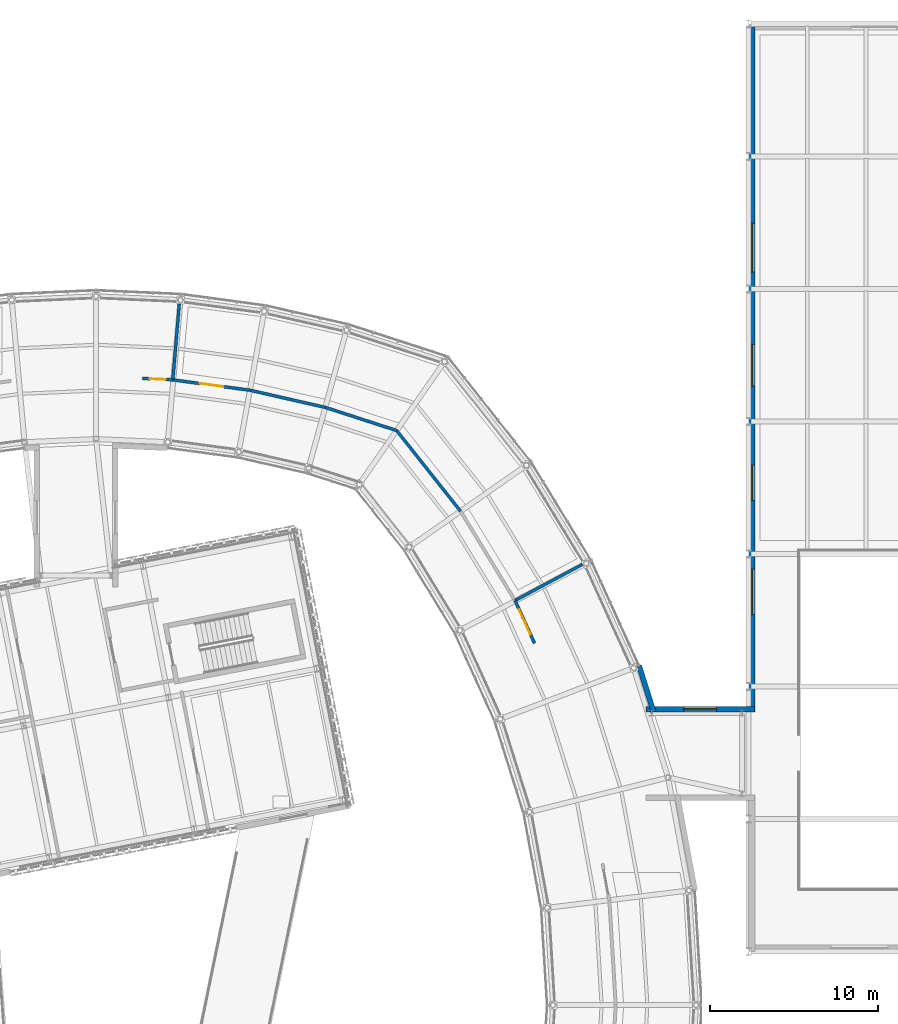
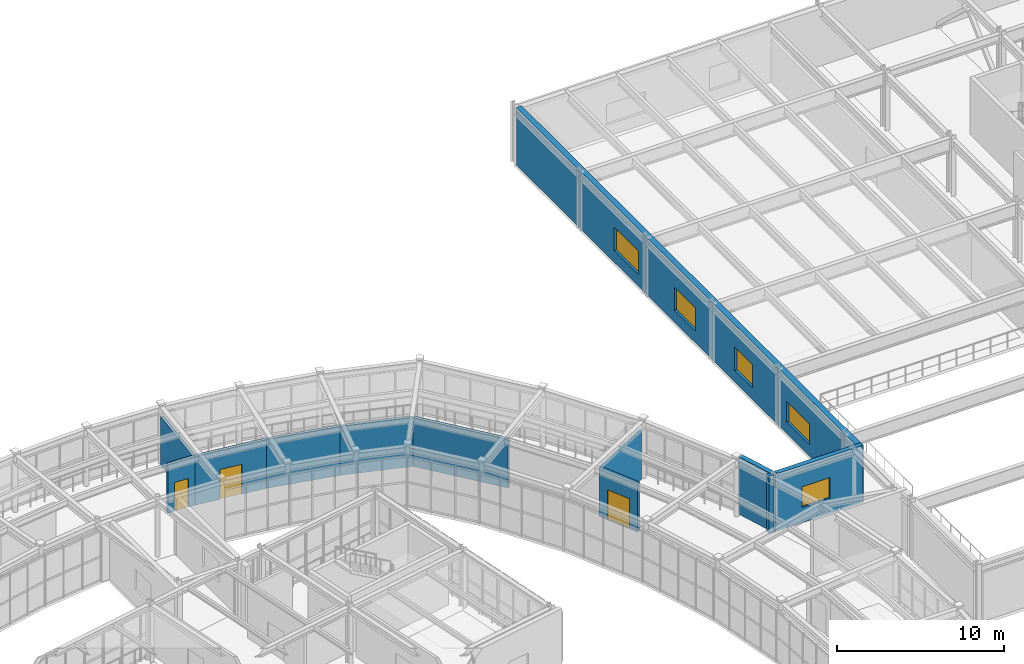
# One storey, part 81 of 103: 11 walls, 5 windows, 3 doors, 8 openings.
"""IFC4 building model written with IfcOpenShell, lengths in metres."""

from ifc_helpers import new_model, si_unit, direction, frame, frame_2d, origin, place, context, subcontext, project, spatial, rectangle, extrude, material, layer, layer_set, type_object, element, fill, save


model = new_model("IFC4")

# Units and contexts
model_context = context("Model", 3, precision=1e-05, world=origin(), true_north=direction((0.0, 1.0)))
body_context = subcontext(model_context, "Body", "Model", "MODEL_VIEW")
ifc_project = project(units=[si_unit("LENGTHUNIT", "METRE"), si_unit("AREAUNIT", "SQUARE_METRE"), si_unit("VOLUMEUNIT", "CUBIC_METRE"), si_unit("PLANEANGLEUNIT", "RADIAN"), si_unit("MASSUNIT", "GRAM", prefix="KILO")], contexts=[model_context])

# Site, building, storey
site_placement = place(None, origin())
site = spatial("IfcSite", under=ifc_project, at=site_placement, CompositionType="ELEMENT")
building_placement = place(site_placement, origin())
building = spatial("IfcBuilding", under=site, at=building_placement, Name="Varnklinge Art Gallery", CompositionType="ELEMENT")
storey_placement = place(building_placement, frame((0.0, 0.0, 5.10009765625)))
storey = spatial("IfcBuildingStorey", under=building, at=storey_placement, Name="L01", CompositionType="ELEMENT", Elevation=5.10009765625)

# Wall
ifc_material_1 = material(Name="Precast concrete C40/50", Category="concrete")
ifc_layer_1 = layer(ifc_material_1, 0.320068359375)
ifc_layer_set_1 = layer_set([ifc_layer_1], Name="Precast concrete C40/50")
wall_type_1 = type_object("IfcWallType", Name="EW-32", PredefinedType="SOLIDWALL", material=ifc_layer_set_1)
wall_1_placement = place(storey_placement, frame((107.873291015625, 75.22216796875, 0.0), z_axis=(0.0, 0.0, 1.0), x_axis=(0.299744876306, -0.95401939662, 0.0)))
element("IfcWall", 1, at=wall_1_placement, inside=storey, type_object=wall_type_1, Name="EW-V2O-L01-K8-1", PredefinedType="SOLIDWALL", context=body_context, shape_type="SweptSolid", body=[
    extrude(rectangle(XDim=2.874267578125, YDim=0.320068359375, at=frame_2d((1.43701171875, 0.0))), origin(), (0.0, 0.0, 1.0), 4.179931640625),
])

# Wall, opening, window
wall_2_placement = place(storey_placement, frame((108.284423828125, 72.639892578125, 0.0), z_axis=(0.0, 0.0, 1.0), x_axis=(1.0, 0.0, 0.0)))
wall_2 = element("IfcWall", 2, at=wall_2_placement, inside=storey, type_object=wall_type_1, Name="L01 Gallery Link Wall EW-LNK-V1-L01-N", PredefinedType="SOLIDWALL", context=body_context, shape_type="SweptSolid", body=[
    extrude(rectangle(XDim=6.465576171875, YDim=0.320068359375, at=frame_2d((3.23291015625, 0.0))), origin(), (0.0, 0.0, 1.0), 4.179931640625),
])
opening_1_placement = place(wall_2_placement, frame((2.2578125, 0.0, 1.1201171875)))
opening_1 = element("IfcOpeningElement", 3, at=opening_1_placement, cuts=wall_2, Name="Opening WN-05", PredefinedType="OPENING", context=body_context, shape_type="SweptSolid", body=[
    extrude(rectangle(XDim=1.949951171875, YDim=1.5, at=frame_2d((0.97509765625, 0.75))), frame((0.0, 0.170166015625, 0.0), z_axis=(0.0, -1.0, 0.0), x_axis=(1.0, 0.0, 0.0)), (0.0, 0.0, 1.0), 0.340087890625),
])
ifc_material_2 = material(Name="Insulated Low-E Triple Glazing", Category="glass")
window_type_1 = type_object("IfcWindowType", Name="WN-05", PartitioningType="SINGLE_PANEL", PredefinedType="WINDOW", material=ifc_material_2)
window_1_placement = place(opening_1_placement, origin())
window_1 = element("IfcWindow", 4, at=window_1_placement, inside=storey, type_object=window_type_1, Name="L01 Window WIN-L01-211", OverallHeight=1.5, OverallWidth=1.949951171875, PartitioningType="SINGLE_PANEL", PredefinedType="WINDOW", context=body_context, shape_type="SweptSolid", body=[
    extrude(rectangle(XDim=1.949951171875, YDim=1.5, at=frame_2d((0.97509765625, 0.75))), frame((0.0, 0.030029296875, 0.0), z_axis=(0.0, -1.0, 0.0), x_axis=(1.0, 0.0, 0.0)), (0.0, 0.0, 1.0), 0.06005859375),
])
fill(opening_1, window_1)

# Wall, openings, windows
ifc_material_3 = material(Name="Concrete C40/50", Category="concrete")
ifc_layer_2 = layer(ifc_material_3, 0.3798828125)
ifc_layer_set_2 = layer_set([ifc_layer_2], Name="Concrete C40/50")
wall_type_2 = type_object("IfcWallType", Name="EW-38", PredefinedType="SOLIDWALL", material=ifc_layer_set_2)
wall_3_placement = place(storey_placement, frame((114.590087890625, 72.47998046875, 0.0), z_axis=(0.0, 0.0, 1.0), x_axis=(0.0, 1.0, 0.0)))
wall_3 = element("IfcWall", 5, at=wall_3_placement, inside=storey, type_object=wall_type_2, Name="L01 Exterior Wall EW-V1-L01-02", PredefinedType="SOLIDWALL", context=body_context, shape_type="SweptSolid", body=[
    extrude(rectangle(XDim=40.830078125, YDim=0.3798828125, at=frame_2d((20.4150390625, 0.0))), origin(), (0.0, 0.0, 1.0), 4.169921875),
])
opening_2_placement = place(wall_3_placement, frame((5.804931640625, 0.0, 0.85009765625)))
opening_2 = element("IfcOpeningElement", 6, at=opening_2_placement, cuts=wall_3, Name="Opening WN-08", PredefinedType="OPENING", context=body_context, shape_type="SweptSolid", body=[
    extrude(rectangle(XDim=2.699951171875, YDim=1.5, at=frame_2d((1.35009765625, 0.75))), frame((0.0, 0.199951171875, 0.0), z_axis=(0.0, -1.0, 0.0), x_axis=(1.0, 0.0, 0.0)), (0.0, 0.0, 1.0), 0.39990234375),
])
opening_3_placement = place(wall_3_placement, frame((12.610107421875, 0.0, 0.85009765625)))
opening_3 = element("IfcOpeningElement", 7, at=opening_3_placement, cuts=wall_3, Name="Opening WN-12", PredefinedType="OPENING", context=body_context, shape_type="SweptSolid", body=[
    extrude(rectangle(XDim=2.10009765625, YDim=1.699951171875, at=frame_2d((1.050048828125, 0.85009765625))), frame((0.0, 0.199951171875, 0.0), z_axis=(0.0, -1.0, 0.0), x_axis=(1.0, 0.0, 0.0)), (0.0, 0.0, 1.0), 0.39990234375),
])
opening_4_placement = place(wall_3_placement, frame((19.4150390625, 0.0, 0.85009765625)))
opening_4 = element("IfcOpeningElement", 8, at=opening_4_placement, cuts=wall_3, Name="Opening WN-13", PredefinedType="OPENING", context=body_context, shape_type="SweptSolid", body=[
    extrude(rectangle(XDim=2.5, YDim=1.699951171875, at=frame_2d((1.25, 0.85009765625))), frame((0.0, 0.199951171875, 0.0), z_axis=(0.0, -1.0, 0.0), x_axis=(1.0, 0.0, 0.0)), (0.0, 0.0, 1.0), 0.39990234375),
])
opening_5_placement = place(wall_3_placement, frame((26.219970703125, 0.0, 0.85009765625)))
opening_5 = element("IfcOpeningElement", 9, at=opening_5_placement, cuts=wall_3, Name="Opening WN-14", PredefinedType="OPENING", context=body_context, shape_type="SweptSolid", body=[
    extrude(rectangle(XDim=2.89990234375, YDim=1.699951171875, at=frame_2d((1.449951171875, 0.85009765625))), frame((0.0, 0.199951171875, 0.0), z_axis=(0.0, -1.0, 0.0), x_axis=(1.0, 0.0, 0.0)), (0.0, 0.0, 1.0), 0.39990234375),
])
ifc_material_4 = material(Name="Insulated Low-E Triple Glazing", Category="glass")
window_type_2 = type_object("IfcWindowType", Name="WN-08", PartitioningType="SINGLE_PANEL", PredefinedType="WINDOW", material=ifc_material_4)
window_2_placement = place(opening_2_placement, origin())
window_2 = element("IfcWindow", 10, at=window_2_placement, inside=storey, type_object=window_type_2, Name="L01 Window WIN-L01-013", OverallHeight=1.5, OverallWidth=2.699951171875, PartitioningType="SINGLE_PANEL", PredefinedType="WINDOW", context=body_context, shape_type="SweptSolid", body=[
    extrude(rectangle(XDim=2.699951171875, YDim=1.5, at=frame_2d((1.35009765625, 0.75))), frame((0.0, 0.030029296875, 0.0), z_axis=(0.0, -1.0, 0.0), x_axis=(1.0, 0.0, 0.0)), (0.0, 0.0, 1.0), 0.06005859375),
])
fill(opening_2, window_2)
ifc_material_5 = material(Name="Insulated Low-E Triple Glazing", Category="glass")
window_type_3 = type_object("IfcWindowType", Name="WN-12", PartitioningType="SINGLE_PANEL", PredefinedType="WINDOW", material=ifc_material_5)
window_3_placement = place(opening_3_placement, origin())
window_3 = element("IfcWindow", 11, at=window_3_placement, inside=storey, type_object=window_type_3, Name="L01 Window WIN-L01-014", OverallHeight=1.699951171875, OverallWidth=2.10009765625, PartitioningType="SINGLE_PANEL", PredefinedType="WINDOW", context=body_context, shape_type="SweptSolid", body=[
    extrude(rectangle(XDim=2.10009765625, YDim=1.699951171875, at=frame_2d((1.050048828125, 0.85009765625))), frame((0.0, 0.030029296875, 0.0), z_axis=(0.0, -1.0, 0.0), x_axis=(1.0, 0.0, 0.0)), (0.0, 0.0, 1.0), 0.06005859375),
])
fill(opening_3, window_3)
ifc_material_6 = material(Name="Insulated Low-E Triple Glazing", Category="glass")
window_type_4 = type_object("IfcWindowType", Name="WN-13", PartitioningType="SINGLE_PANEL", PredefinedType="WINDOW", material=ifc_material_6)
window_4_placement = place(opening_4_placement, origin())
window_4 = element("IfcWindow", 12, at=window_4_placement, inside=storey, type_object=window_type_4, Name="L01 Window WIN-L01-015", OverallHeight=1.699951171875, OverallWidth=2.5, PartitioningType="SINGLE_PANEL", PredefinedType="WINDOW", context=body_context, shape_type="SweptSolid", body=[
    extrude(rectangle(XDim=2.5, YDim=1.699951171875, at=frame_2d((1.25, 0.85009765625))), frame((0.0, 0.030029296875, 0.0), z_axis=(0.0, -1.0, 0.0), x_axis=(1.0, 0.0, 0.0)), (0.0, 0.0, 1.0), 0.06005859375),
])
fill(opening_4, window_4)
ifc_material_7 = material(Name="Insulated Low-E Triple Glazing", Category="glass")
window_type_5 = type_object("IfcWindowType", Name="WN-14", PartitioningType="SINGLE_PANEL", PredefinedType="WINDOW", material=ifc_material_7)
window_5_placement = place(opening_5_placement, origin())
window_5 = element("IfcWindow", 13, at=window_5_placement, inside=storey, type_object=window_type_5, Name="L01 Window WIN-L01-016", OverallHeight=1.699951171875, OverallWidth=2.89990234375, PartitioningType="SINGLE_PANEL", PredefinedType="WINDOW", context=body_context, shape_type="SweptSolid", body=[
    extrude(rectangle(XDim=2.89990234375, YDim=1.699951171875, at=frame_2d((1.449951171875, 0.85009765625))), frame((0.0, 0.030029296875, 0.0), z_axis=(0.0, -1.0, 0.0), x_axis=(1.0, 0.0, 0.0)), (0.0, 0.0, 1.0), 0.06005859375),
])
fill(opening_5, window_5)

# Wall, opening, door
ifc_material_8 = material(Name="Gypsum Board Partition", Category="gypsum")
ifc_layer_3 = layer(ifc_material_8, 0.179931640625)
ifc_layer_set_3 = layer_set([ifc_layer_3], Name="Gypsum Board Partition")
wall_type_3 = type_object("IfcWallType", Name="IW-18", PredefinedType="PARTITIONING", material=ifc_layer_set_3)
wall_4_placement = place(storey_placement, frame((100.47509765625, 79.11865234375, 0.0), z_axis=(0.0, 0.0, 1.0), x_axis=(0.414597499108, -0.910004897643, 0.0)))
wall_4 = element("IfcWall", 14, at=wall_4_placement, inside=storey, type_object=wall_type_3, Name="L01 Partition Wall IW-L01-0177", PredefinedType="PARTITIONING", context=body_context, shape_type="SweptSolid", body=[
    extrude(rectangle(XDim=2.800537109375, YDim=0.179931640625, at=frame_2d((1.400390625, 0.0))), origin(), (0.0, 0.0, 1.0), 3.56982421875),
])
opening_6_placement = place(wall_4_placement, frame((0.580322265625, 0.0, 0.0)))
opening_6 = element("IfcOpeningElement", 15, at=opening_6_placement, cuts=wall_4, Name="Opening D-L01-186", PredefinedType="OPENING", context=body_context, shape_type="SweptSolid", body=[
    extrude(rectangle(XDim=1.639892578125, YDim=2.199951171875, at=frame_2d((0.81982421875, 1.10009765625))), frame((0.0, 0.099853515625, 0.0), z_axis=(0.0, -1.0, 0.0), x_axis=(1.0, 0.0, 0.0)), (0.0, 0.0, 1.0), 0.199951171875),
])
ifc_material_9 = material(Name="Oak Timber Leaf", Category="wood")
door_type_1 = type_object("IfcDoorType", Name="ID-08", OperationType="DOUBLE_DOOR_SINGLE_SWING", PredefinedType="DOOR", material=ifc_material_9)
door_1_placement = place(opening_6_placement, origin())
door_1 = element("IfcDoor", 16, at=door_1_placement, inside=storey, type_object=door_type_1, Name="L01 L01 Upper Northeast Design Gallery 2 Door D-L01-186", OperationType="DOUBLE_DOOR_SINGLE_SWING", OverallHeight=2.199951171875, OverallWidth=1.639892578125, PredefinedType="DOOR", context=body_context, shape_type="SweptSolid", body=[
    extrude(rectangle(XDim=1.639892578125, YDim=2.199951171875, at=frame_2d((0.81982421875, 1.10009765625))), frame((0.0, 0.02490234375, 0.0), z_axis=(0.0, -1.0, 0.0), x_axis=(1.0, 0.0, 0.0)), (0.0, 0.0, 1.0), 0.050048828125),
])
fill(opening_6, door_1)

wall_5_placement = place(storey_placement, frame((80.072998046875, 92.272705078125, 0.0), z_axis=(0.0, 0.0, 1.0), x_axis=(0.991068153598, -0.133356345647, 0.0)))
wall_5 = element("IfcWall", 17, at=wall_5_placement, inside=storey, type_object=wall_type_3, Name="L01 Partition Wall IW-L01-0178", PredefinedType="PARTITIONING", context=body_context, shape_type="SweptSolid", body=[
    extrude(rectangle(XDim=4.63916015625, YDim=0.179931640625, at=frame_2d((2.319580078125, 0.0))), origin(), (0.0, 0.0, 1.0), 3.56982421875),
])
opening_7_placement = place(wall_5_placement, frame((1.609619140625, 0.0, 0.0)))
opening_7 = element("IfcOpeningElement", 18, at=opening_7_placement, cuts=wall_5, Name="Opening D-L01-187", PredefinedType="OPENING", context=body_context, shape_type="SweptSolid", body=[
    extrude(rectangle(XDim=1.419921875, YDim=2.179931640625, at=frame_2d((0.7099609375, 1.08984375))), frame((0.0, 0.099853515625, 0.0), z_axis=(0.0, -1.0, 0.0), x_axis=(1.0, 0.0, 0.0)), (0.0, 0.0, 1.0), 0.199951171875),
])
ifc_material_10 = material(Name="Oak Timber Leaf", Category="wood")
door_type_2 = type_object("IfcDoorType", Name="ID-07", OperationType="DOUBLE_DOOR_SINGLE_SWING", PredefinedType="DOOR", material=ifc_material_10)
door_2_placement = place(opening_7_placement, origin())
door_2 = element("IfcDoor", 19, at=door_2_placement, inside=storey, type_object=door_type_2, Name="L01 L01 Upper North Architecture Gallery Door D-L01-187", OperationType="DOUBLE_DOOR_SINGLE_SWING", OverallHeight=2.179931640625, OverallWidth=1.419921875, PredefinedType="DOOR", context=body_context, shape_type="SweptSolid", body=[
    extrude(rectangle(XDim=1.419921875, YDim=2.179931640625, at=frame_2d((0.7099609375, 1.08984375))), frame((0.0, 0.02490234375, 0.0), z_axis=(0.0, -1.0, 0.0), x_axis=(1.0, 0.0, 0.0)), (0.0, 0.0, 1.0), 0.050048828125),
])
fill(opening_7, door_2)

# Walls
wall_6_placement = place(storey_placement, frame((84.670654296875, 91.654052734375, 0.0), z_axis=(0.0, 0.0, 1.0), x_axis=(0.975049979992, -0.221985442131, 0.0)))
element("IfcWall", 20, at=wall_6_placement, inside=storey, type_object=wall_type_3, Name="L01 Partition Wall IW-L01-0179", PredefinedType="PARTITIONING", context=body_context, shape_type="SweptSolid", body=[
    extrude(rectangle(XDim=4.60498046875, YDim=0.179931640625, at=frame_2d((2.302490234375, 0.0))), origin(), (0.0, 0.0, 1.0), 3.56982421875),
])
wall_7_placement = place(storey_placement, frame((89.16064453125, 90.6318359375, 0.0), z_axis=(0.0, 0.0, 1.0), x_axis=(0.95121156526, -0.308539394755, 0.0)))
element("IfcWall", 21, at=wall_7_placement, inside=storey, type_object=wall_type_3, Name="L01 Partition Wall IW-L01-0180", PredefinedType="PARTITIONING", context=body_context, shape_type="SweptSolid", body=[
    extrude(rectangle(XDim=4.473876953125, YDim=0.179931640625, at=frame_2d((2.23681640625, 0.0))), origin(), (0.0, 0.0, 1.0), 3.56982421875),
])
wall_8_placement = place(storey_placement, frame((93.416259765625, 89.25146484375, 0.0), z_axis=(0.0, 0.0, 1.0), x_axis=(0.620919863194, -0.783874048232, 0.0)))
element("IfcWall", 22, at=wall_8_placement, inside=storey, type_object=wall_type_3, Name="L01 Partition Wall IW-L01-0181", PredefinedType="PARTITIONING", context=body_context, shape_type="SweptSolid", body=[
    extrude(rectangle(XDim=6.1396484375, YDim=0.179931640625, at=frame_2d((3.06982421875, 0.0))), origin(), (0.0, 0.0, 1.0), 3.56982421875),
])

# Wall, opening, door
wall_9_placement = place(storey_placement, frame((78.27001953125, 92.353515625, 0.0), z_axis=(0.0, 0.0, 1.0), x_axis=(0.99899706853, -0.044775630289, 0.0)))
wall_9 = element("IfcWall", 23, at=wall_9_placement, inside=storey, type_object=wall_type_3, Name="L01 Partition Wall IW-L01-0186", PredefinedType="PARTITIONING", context=body_context, shape_type="SweptSolid", body=[
    extrude(rectangle(XDim=1.8046875, YDim=0.179931640625, at=frame_2d((0.90234375, 0.0))), origin(), (0.0, 0.0, 1.0), 3.56982421875),
])
opening_8_placement = place(wall_9_placement, frame((0.422607421875, 0.0, 0.0)))
opening_8 = element("IfcOpeningElement", 24, at=opening_8_placement, cuts=wall_9, Name="Opening D-L01-189", PredefinedType="OPENING", context=body_context, shape_type="SweptSolid", body=[
    extrude(rectangle(XDim=0.9599609375, YDim=2.10009765625, at=frame_2d((0.47998046875, 1.050048828125))), frame((0.0, 0.099853515625, 0.0), z_axis=(0.0, -1.0, 0.0), x_axis=(1.0, 0.0, 0.0)), (0.0, 0.0, 1.0), 0.199951171875),
])
ifc_material_11 = material(Name="Oak Timber Leaf", Category="wood")
door_type_3 = type_object("IfcDoorType", Name="ID-02", OperationType="SINGLE_SWING_RIGHT", PredefinedType="DOOR", material=ifc_material_11)
door_3_placement = place(opening_8_placement, origin())
door_3 = element("IfcDoor", 25, at=door_3_placement, inside=storey, type_object=door_type_3, Name="L01 L01 Upper Northwest New Media Gallery 2 Door D-L01-189", OperationType="SINGLE_SWING_LEFT", OverallHeight=2.10009765625, OverallWidth=0.9599609375, PredefinedType="DOOR", context=body_context, shape_type="SweptSolid", body=[
    extrude(rectangle(XDim=0.9599609375, YDim=2.10009765625, at=frame_2d((0.47998046875, 1.050048828125))), frame((0.0, 0.02490234375, 0.0), z_axis=(0.0, -1.0, 0.0), x_axis=(1.0, 0.0, 0.0)), (0.0, 0.0, 1.0), 0.050048828125),
])
fill(opening_8, door_3)

# Walls
wall_10_placement = place(storey_placement, frame((100.4755859375, 79.118896484375, 0.0), z_axis=(0.0, 0.0, 1.0), x_axis=(0.880691517808, 0.473690247379, 0.0)))
element("IfcWall", 26, at=wall_10_placement, inside=storey, type_object=wall_type_3, Name="L01 Partition Wall IW-L01-0242", PredefinedType="PARTITIONING", context=body_context, shape_type="SweptSolid", body=[
    extrude(rectangle(XDim=4.550537109375, YDim=0.179931640625, at=frame_2d((2.275390625, 0.0))), origin(), (0.0, 0.0, 1.0), 3.56982421875),
])
wall_11_placement = place(storey_placement, frame((80.072998046875, 92.273193359375, 0.0), z_axis=(0.0, 0.0, 1.0), x_axis=(0.084735134654, 0.996403511111, 0.0)))
element("IfcWall", 27, at=wall_11_placement, inside=storey, type_object=wall_type_3, Name="L01 Partition Wall IW-L01-0243", PredefinedType="PARTITIONING", context=body_context, shape_type="SweptSolid", body=[
    extrude(rectangle(XDim=4.543701171875, YDim=0.179931640625, at=frame_2d((2.27197265625, 0.0))), origin(), (0.0, 0.0, 1.0), 3.56982421875),
])

save(model, "model.ifc")
